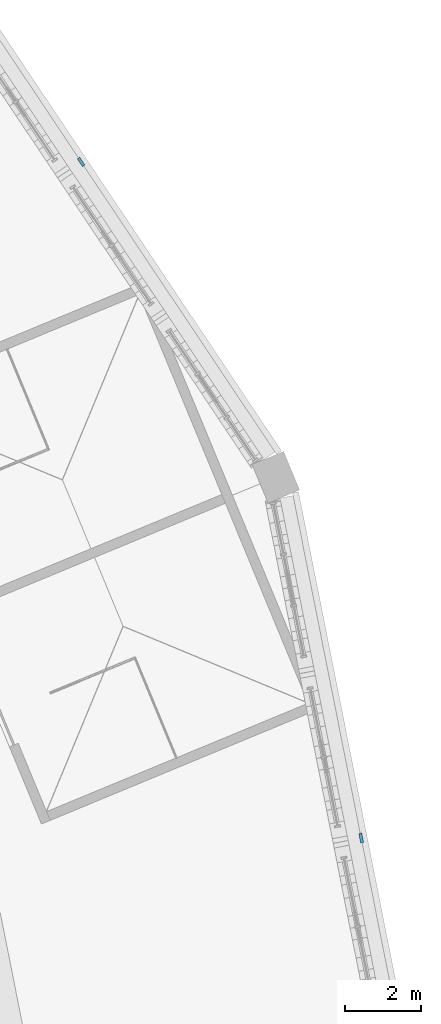
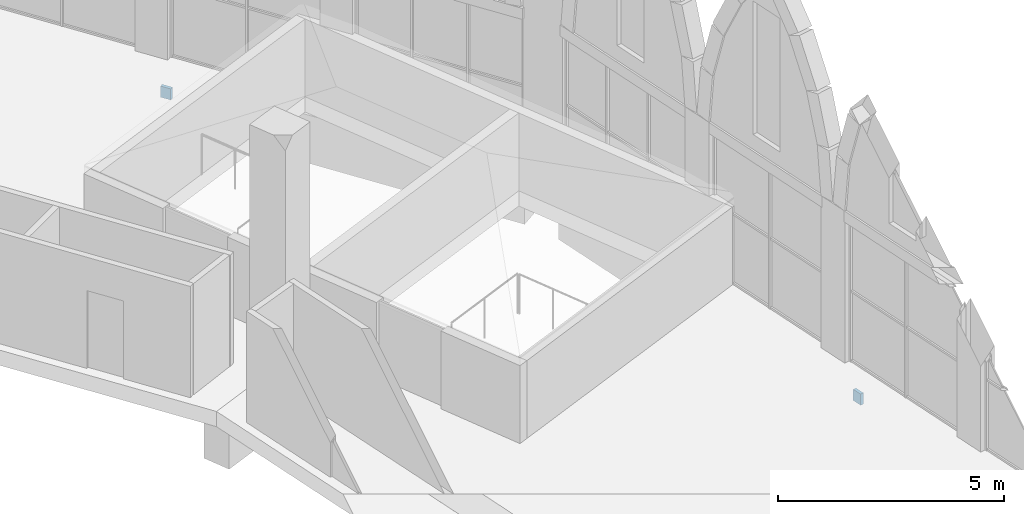
# One storey, part 101 of 130: 2 discrete accessories.
"""IFC4 building model written with IfcOpenShell, lengths in metres."""

from ifc_helpers import new_model, si_unit, direction, frame, origin, origin_2d, place, context, subcontext, project, spatial, rectangle, extrude, material, layer, layer_set, type_object, element, save


model = new_model("IFC4")

# Units and contexts
model_context = context("Model", 3, precision=1e-05, world=origin(), true_north=direction((0.0, 1.0)))
body_context = subcontext(model_context, "Body", "Model", "MODEL_VIEW")
ifc_project = project(units=[si_unit("LENGTHUNIT", "METRE"), si_unit("AREAUNIT", "SQUARE_METRE"), si_unit("VOLUMEUNIT", "CUBIC_METRE"), si_unit("PLANEANGLEUNIT", "RADIAN"), si_unit("MASSUNIT", "GRAM", prefix="KILO")], contexts=[model_context])

# Site, building, storey
site_placement = place(None, origin())
site = spatial("IfcSite", under=ifc_project, at=site_placement, CompositionType="ELEMENT")
building_placement = place(site_placement, origin())
building = spatial("IfcBuilding", under=site, at=building_placement, Name="Ogive Plaza Stadium", CompositionType="ELEMENT")
storey_placement = place(building_placement, frame((0.0, 0.0, 22.5)))
storey = spatial("IfcBuildingStorey", under=building, at=storey_placement, Name="L05", CompositionType="ELEMENT", Elevation=22.5)

# Discrete accessories
ifc_material = material(Name="Steel ASTM A572 Grade 50", Category="steel")
ifc_layer = layer(ifc_material, 0.080078125)
ifc_layer_set = layer_set([ifc_layer], Name="Steel ASTM A572 Grade 50")
discrete_accessory_type = type_object("IfcDiscreteAccessoryType", Name="Spandrel cladding bracket 250x300", PredefinedType="BRACKET", material=ifc_layer_set)
for number, where, z_axis, x_axis, name in (
    (1, (75.065673828125, 79.939208984375, -1.60986328125), (0.0, 0.0, 1.0), (0.555570233005, -0.831469612312, 0.0), "SPANDREL BRACKET B39 L05"),
    (2, (82.440185546875, 62.135498046875, -1.60986328125), (0.0, 0.0, 1.0), (0.195090321965, -0.980785280413, 0.0), "SPANDREL BRACKET B40 L05"),
):
    element("IfcDiscreteAccessory", number, at=place(storey_placement, frame(where, z_axis=z_axis, x_axis=x_axis)), inside=storey, type_object=discrete_accessory_type, Name=name, PredefinedType="BRACKET", context=body_context, shape_type="SweptSolid", body=[
        extrude(rectangle(XDim=0.25, YDim=0.080078125, at=origin_2d()), origin(), (0.0, 0.0, 1.0), 0.300048828125),
    ])

save(model, "model.ifc")
